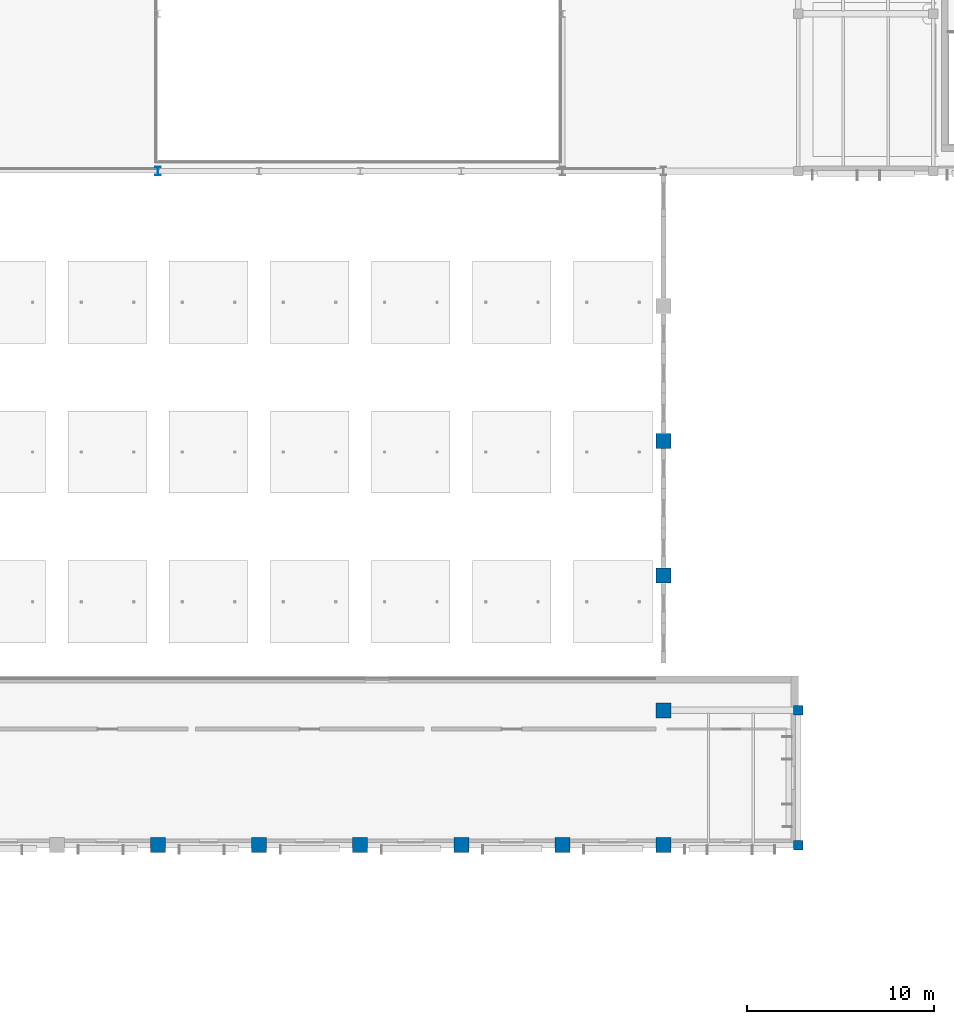
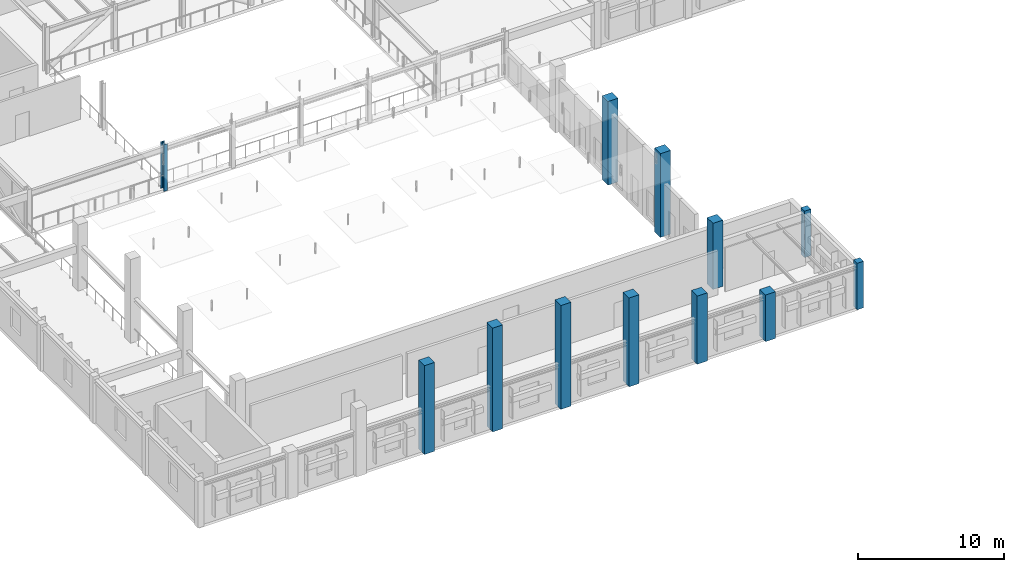
# One storey, part 3 of 44: 12 columns.
"""IFC4 building model written with IfcOpenShell, lengths in metres."""

from ifc_helpers import new_model, si_unit, direction, frame, origin, origin_2d, place, context, subcontext, project, spatial, rectangle, i_section, extrude, material, material_profile, profile_set, type_object, element, save


model = new_model("IFC4")

# Units and contexts
model_context = context("Model", 3, precision=1e-05, world=origin(), true_north=direction((0.0, 1.0)))
body_context = subcontext(model_context, "Body", "Model", "MODEL_VIEW")
ifc_project = project(units=[si_unit("LENGTHUNIT", "METRE"), si_unit("AREAUNIT", "SQUARE_METRE"), si_unit("VOLUMEUNIT", "CUBIC_METRE"), si_unit("PLANEANGLEUNIT", "RADIAN"), si_unit("MASSUNIT", "GRAM", prefix="KILO")], contexts=[model_context])

# Site, building, storey
site_placement = place(None, origin())
site = spatial("IfcSite", under=ifc_project, at=site_placement, CompositionType="ELEMENT")
building_placement = place(site_placement, origin())
building = spatial("IfcBuilding", under=site, at=building_placement, Name="Tazoul Stagehouse", CompositionType="ELEMENT")
storey_placement = place(building_placement, frame((0.0, 0.0, 13.199951171875)))
storey = spatial("IfcBuildingStorey", under=building, at=storey_placement, Name="L03", CompositionType="ELEMENT", Elevation=13.199951171875)

# Columns
ifc_material_1 = material(Name="Concrete C40/50", Category="concrete")
ifc_material_profile_1 = material_profile(ifc_material_1, rectangle(XDim=0.5, YDim=0.5, at=origin_2d()), Name="RC 500x500")
ifc_profile_set_1 = profile_set([ifc_material_profile_1], Name="Concrete C40/50")
column_type_1 = type_object("IfcColumnType", Name="RC Column 500x500 (Exterior)", PredefinedType="COLUMN", material=ifc_profile_set_1)
for number, where, z_axis, x_axis, name in (
    (1, (102.60009765625, 51.800048828125, 0.0), (0.0, 0.0, 1.0), (1.0, 0.0, 0.0), "L03 Column C-02E at 16/H"),
    (2, (102.60009765625, 59.0, 0.0), (0.0, 0.0, 1.0), (1.0, 0.0, 0.0), "L03 Column C-02E at 16/J"),
):
    element("IfcColumn", number, at=place(storey_placement, frame(where, z_axis=z_axis, x_axis=x_axis)), inside=storey, type_object=column_type_1, Name=name, PredefinedType="COLUMN", context=body_context, shape_type="SweptSolid", body=[
        extrude(rectangle(XDim=0.5, YDim=0.5, at=origin_2d()), origin(), (0.0, 0.0, 1.0), 3.900146484375),
    ])
ifc_material_profile_2 = material_profile(ifc_material_1, rectangle(XDim=0.800048828125, YDim=0.800048828125, at=origin_2d()), Name="RC 800x800")
ifc_profile_set_2 = profile_set([ifc_material_profile_2], Name="Concrete C40/50")
column_type_2 = type_object("IfcColumnType", Name="RC Column 800x800", PredefinedType="COLUMN", material=ifc_profile_set_2)
column_1_placement = place(storey_placement, frame((95.39990234375, 59.0, 0.0), z_axis=(0.0, 0.0, 1.0), x_axis=(1.0, 0.0, 0.0)))
element("IfcColumn", 3, at=column_1_placement, inside=storey, type_object=column_type_2, Name="L03 Column C-05 at 15/J", PredefinedType="COLUMN", context=body_context, shape_type="SweptSolid", body=[
    extrude(rectangle(XDim=0.800048828125, YDim=0.800048828125, at=origin_2d()), origin(), (0.0, 0.0, 1.0), 5.542236328125),
])
ifc_material_profile_3 = material_profile(ifc_material_1, rectangle(XDim=0.800048828125, YDim=0.800048828125, at=origin_2d()), Name="RC 800x800")
ifc_profile_set_3 = profile_set([ifc_material_profile_3], Name="Concrete C40/50")
column_type_3 = type_object("IfcColumnType", Name="RC Column 800x800 (Exterior)", PredefinedType="COLUMN", material=ifc_profile_set_3)
column_2_placement = place(storey_placement, frame((68.39990234375, 51.800048828125, 0.0), z_axis=(0.0, 0.0, 1.0), x_axis=(1.0, 0.0, 0.0)))
element("IfcColumn", 4, at=column_2_placement, inside=storey, type_object=column_type_3, Name="L03 Column C-05E at 10/H", PredefinedType="COLUMN", context=body_context, shape_type="SweptSolid", body=[
    extrude(rectangle(XDim=0.800048828125, YDim=0.800048828125, at=origin_2d()), origin(), (0.0, 0.0, 1.0), 7.439697265625),
])
for number, where, z_axis, x_axis, name in (
    (5, (73.800048828125, 51.800048828125, 0.0), (0.0, 0.0, 1.0), (1.0, 0.0, 0.0), "L03 Column C-05E at 11/H"),
    (6, (79.199951171875, 51.800048828125, 0.0), (0.0, 0.0, 1.0), (1.0, 0.0, 0.0), "L03 Column C-05E at 12/H"),
):
    element("IfcColumn", number, at=place(storey_placement, frame(where, z_axis=z_axis, x_axis=x_axis)), inside=storey, type_object=column_type_3, Name=name, PredefinedType="COLUMN", context=body_context, shape_type="SweptSolid", body=[
        extrude(rectangle(XDim=0.800048828125, YDim=0.800048828125, at=origin_2d()), origin(), (0.0, 0.0, 1.0), 8.698974609375),
    ])
column_3_placement = place(storey_placement, frame((84.60009765625, 51.800048828125, 0.0), z_axis=(0.0, 0.0, 1.0), x_axis=(1.0, 0.0, 0.0)))
element("IfcColumn", 7, at=column_3_placement, inside=storey, type_object=column_type_3, Name="L03 Column C-05E at 13/H", PredefinedType="COLUMN", context=body_context, shape_type="SweptSolid", body=[
    extrude(rectangle(XDim=0.800048828125, YDim=0.800048828125, at=origin_2d()), origin(), (0.0, 0.0, 1.0), 7.439697265625),
])
column_4_placement = place(storey_placement, frame((90.0, 51.800048828125, 0.0), z_axis=(0.0, 0.0, 1.0), x_axis=(1.0, 0.0, 0.0)))
element("IfcColumn", 8, at=column_4_placement, inside=storey, type_object=column_type_3, Name="L03 Column C-05E at 14/H", PredefinedType="COLUMN", context=body_context, shape_type="SweptSolid", body=[
    extrude(rectangle(XDim=0.800048828125, YDim=0.800048828125, at=origin_2d()), origin(), (0.0, 0.0, 1.0), 5.705078125),
])
column_5_placement = place(storey_placement, frame((95.39990234375, 51.800048828125, 0.0), z_axis=(0.0, 0.0, 1.0), x_axis=(1.0, 0.0, 0.0)))
element("IfcColumn", 9, at=column_5_placement, inside=storey, type_object=column_type_3, Name="L03 Column C-05E at 15/H", PredefinedType="COLUMN", context=body_context, shape_type="SweptSolid", body=[
    extrude(rectangle(XDim=0.800048828125, YDim=0.800048828125, at=origin_2d()), origin(), (0.0, 0.0, 1.0), 3.900146484375),
])
for number, where, z_axis, x_axis, name in (
    (10, (95.39990234375, 66.199951171875, 0.0), (0.0, 0.0, 1.0), (1.0, 0.0, 0.0), "L03 Column C-05E at 15/K"),
    (11, (95.39990234375, 73.39990234375, 0.0), (0.0, 0.0, 1.0), (1.0, 0.0, 0.0), "L03 Column C-05E at 15/L"),
):
    element("IfcColumn", number, at=place(storey_placement, frame(where, z_axis=z_axis, x_axis=x_axis)), inside=storey, type_object=column_type_3, Name=name, PredefinedType="COLUMN", context=body_context, shape_type="SweptSolid", body=[
        extrude(rectangle(XDim=0.800048828125, YDim=0.800048828125, at=origin_2d()), origin(), (0.0, 0.0, 1.0), 7.00732421875),
    ])
ifc_material_2 = material(Name="Steel S355", Category="steel")
ifc_material_profile_4 = material_profile(ifc_material_2, i_section(OverallWidth=0.300048828125, OverallDepth=0.449951171875, WebThickness=0.013916015625, FlangeThickness=0.02587890625, FilletRadius=0.027099609375, at=origin_2d()), Name="HEB 450")
ifc_profile_set_4 = profile_set([ifc_material_profile_4], Name="Steel S355")
column_type_4 = type_object("IfcColumnType", Name="Steel Column HEB 450 (Exterior)", PredefinedType="COLUMN", material=ifc_profile_set_4)
column_6_placement = place(storey_placement, frame((68.39990234375, 87.800048828125, 0.0), z_axis=(0.0, 0.0, 1.0), x_axis=(1.0, 0.0, 0.0)))
element("IfcColumn", 12, at=column_6_placement, inside=storey, type_object=column_type_4, Name="L03 Column SC-05E at 10/N", PredefinedType="COLUMN", context=body_context, shape_type="SweptSolid", body=[
    extrude(i_section(OverallWidth=0.300048828125, OverallDepth=0.449951171875, WebThickness=0.013916015625, FlangeThickness=0.02587890625, FilletRadius=0.027099609375, at=origin_2d()), origin(), (0.0, 0.0, 1.0), 3.900146484375),
])

save(model, "model.ifc")
